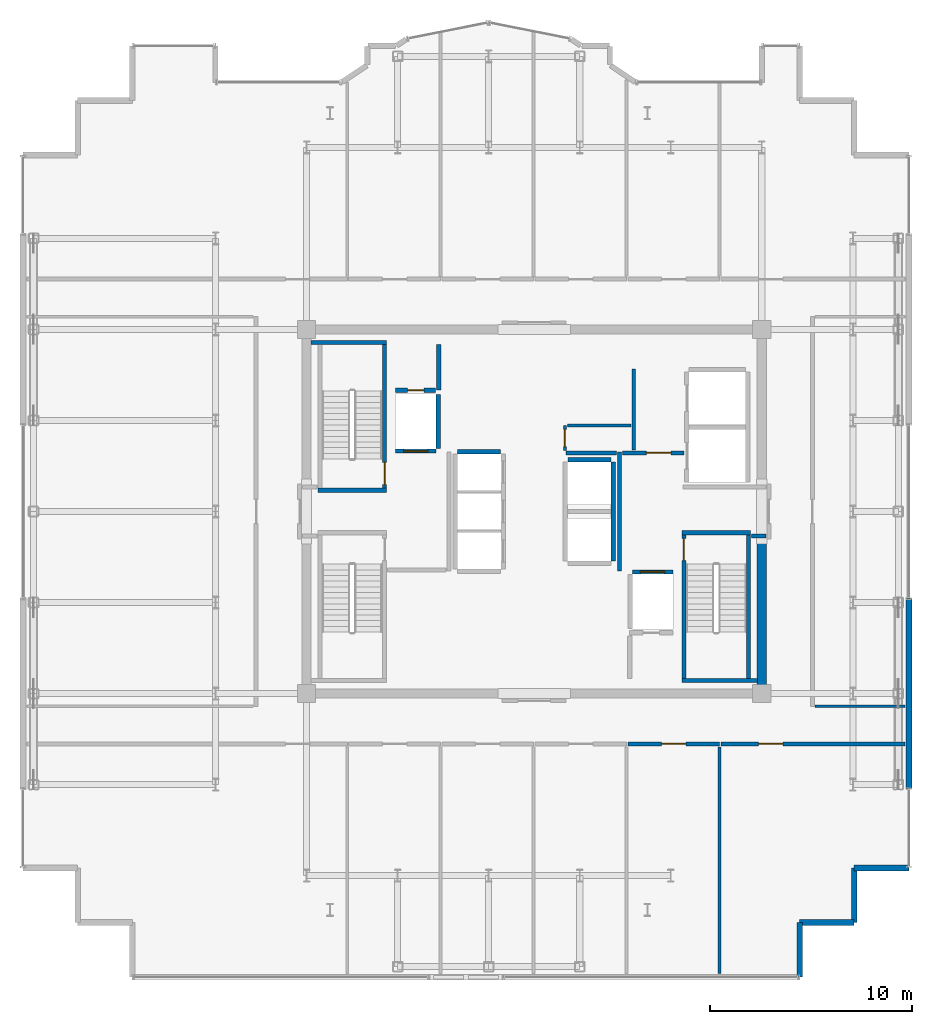
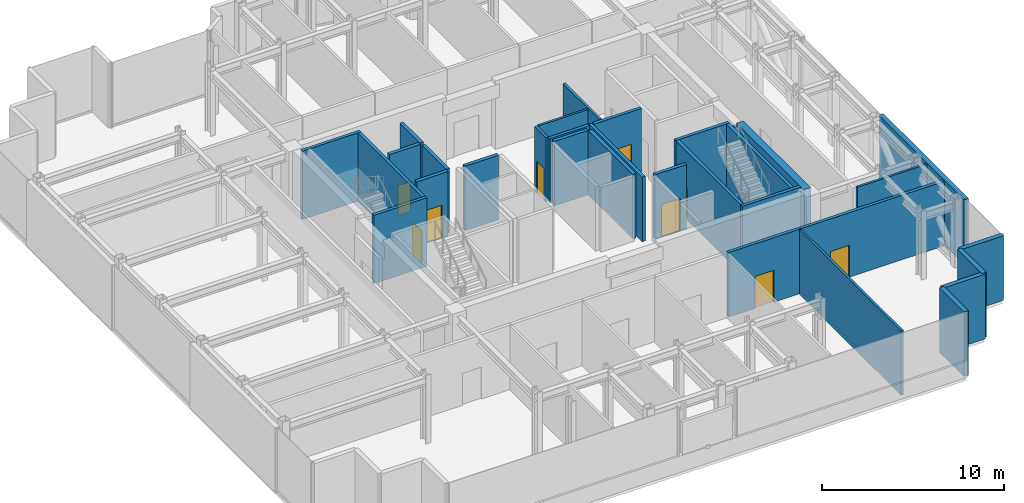
# One storey, part 14 of 18: 32 walls, 9 doors, 9 openings.
"""IFC4 building model written with IfcOpenShell, lengths in metres."""

import ifcopenshell
import ifcopenshell.guid

model = None  # the IFC model being written
_history = None  # IfcOwnerHistory: only IFC2X3 demands one
_inside = {}  # id of a spatial element -> (the spatial element, [elements in it])
_under = {}  # id of a project, library or spatial element -> (it, [spatial elements below it])
_declared = {}  # id of a project -> (the project, [libraries it declares])
_typed = {}  # id of a type object -> (the type object, [elements of that type])
_made_of = {}  # id of a material, layer set ... -> (it, [elements and type objects made of it])


def new_model(schema):
    """Start an empty IFC model of exactly this schema.

    Asked for "IFC4X3", IfcOpenShell would pick the latest addendum, in which some entities
    have other attributes; the version numbers below select the first issue.
    IFC2X3 requires an IfcOwnerHistory on every rooted entity: one is made here for all.
    """
    global model, _history
    if schema == "IFC4X3":
        model = ifcopenshell.file(schema_version=(4, 3, 0, 0))
    else:
        model = ifcopenshell.file(schema=schema)
    _inside.clear()
    _under.clear()
    _declared.clear()
    _typed.clear()
    _made_of.clear()
    _history = None
    if model.schema == "IFC2X3":
        org = make("IfcOrganization", Name="unknown")
        user = make(
            "IfcPersonAndOrganization",
            ThePerson=make("IfcPerson", FamilyName="unknown"),
            TheOrganization=org,
        )
        app = make(
            "IfcApplication",
            ApplicationDeveloper=org,
            Version="unknown",
            ApplicationFullName="unknown",
            ApplicationIdentifier="unknown",
        )
        _history = make(
            "IfcOwnerHistory",
            OwningUser=user,
            OwningApplication=app,
            ChangeAction="ADDED",
            CreationDate=0,
        )
    return model


def make(cls, **values):
    """One entity of the class cls with the attributes given. An attribute that is None is left unset."""
    return model.create_entity(
        cls, **{name: value for name, value in values.items() if value is not None}
    )


def rooted(cls, **values):
    """An entity with a GlobalId (a new one), such as an element, a storey or a relation."""
    return make(cls, GlobalId=ifcopenshell.guid.new(), OwnerHistory=_history, **values)


def si_unit(unit_type, name, prefix=None):
    """IfcSIUnit, for example si_unit("LENGTHUNIT", "METRE", prefix="MILLI")."""
    return make("IfcSIUnit", UnitType=unit_type, Prefix=prefix, Name=name)


def assignment(units):
    """IfcUnitAssignment: the units of a project."""
    return None if units is None else make("IfcUnitAssignment", Units=units)


def point(xyz):
    """IfcCartesianPoint."""
    return None if xyz is None else make("IfcCartesianPoint", Coordinates=xyz)


def direction(xyz):
    """IfcDirection."""
    return None if xyz is None else make("IfcDirection", DirectionRatios=xyz)


def frame(location, z_axis=None, x_axis=None):
    """IfcAxis2Placement3D, a coordinate frame: its origin and axes. An axis left out is left unset."""
    return make(
        "IfcAxis2Placement3D",
        Location=point(location),
        Axis=direction(z_axis),
        RefDirection=direction(x_axis),
    )


def frame_2d(location, x_axis=None):
    """IfcAxis2Placement2D, a coordinate frame in the plane: its origin and x axis."""
    return make(
        "IfcAxis2Placement2D", Location=point(location), RefDirection=direction(x_axis)
    )


def origin():
    """The frame at (0, 0, 0) with its axes left unset."""
    return frame((0.0, 0.0, 0.0))


def place(relative_to, where):
    """IfcLocalPlacement: puts the frame where relative to a parent placement (None: the world)."""
    return make(
        "IfcLocalPlacement", PlacementRelTo=relative_to, RelativePlacement=where
    )


def context(
    kind, dimensions, precision=None, world=None, true_north=None, identifier=None
):
    """IfcGeometricRepresentationContext, for example the 3D "Model" context."""
    return make(
        "IfcGeometricRepresentationContext",
        ContextIdentifier=identifier,
        ContextType=kind,
        CoordinateSpaceDimension=dimensions,
        Precision=precision,
        WorldCoordinateSystem=world,
        TrueNorth=true_north,
    )


def subcontext(parent, identifier, kind, view, scale=None):
    """IfcGeometricRepresentationSubContext, for example "Body" below "Model"."""
    return make(
        "IfcGeometricRepresentationSubContext",
        ContextIdentifier=identifier,
        ContextType=kind,
        ParentContext=parent,
        TargetScale=scale,
        TargetView=view,
    )


def project(units=None, contexts=None):
    """IfcProject with its units and contexts."""
    return rooted(
        "IfcProject",
        Name="project",
        RepresentationContexts=contexts,
        UnitsInContext=assignment(units),
    )


def spatial(cls, under=None, at=None, **own):
    """A site, building, storey or space (cls), placed at a placement, below another one or the project."""
    s = rooted(cls, ObjectPlacement=at, **own)
    if under is not None:
        _under.setdefault(under.id(), (under, []))[1].append(s)
    return s


def profile(cls, at=None, kind="AREA", **sizes):
    """A parametric profile (cls). Its sizes go by their IFC names, for example OverallWidth=200.0."""
    return make(cls, ProfileType=kind, Position=at, **sizes)


def rectangle(**sizes):
    """IfcRectangleProfileDef."""
    return profile("IfcRectangleProfileDef", **sizes)


def extrude(swept, where, along, depth):
    """IfcExtrudedAreaSolid: the profile swept, set in the frame where, extruded along a direction by depth."""
    return make(
        "IfcExtrudedAreaSolid",
        SweptArea=swept,
        Position=where,
        ExtrudedDirection=direction(along),
        Depth=depth,
    )


def shape(context_of_items, identifier, shape_type, items):
    """IfcShapeRepresentation: the items that make up one representation, for example the "Body"."""
    return make(
        "IfcShapeRepresentation",
        ContextOfItems=context_of_items,
        RepresentationIdentifier=identifier,
        RepresentationType=shape_type,
        Items=items,
    )


def source(mapping_origin, context_of_items, identifier, shape_type, items):
    """IfcRepresentationMap: a shape defined once, which mapped items show again and again."""
    return make(
        "IfcRepresentationMap",
        MappingOrigin=mapping_origin,
        MappedRepresentation=shape(context_of_items, identifier, shape_type, items),
    )


def transform(
    local_origin,
    x_axis=None,
    y_axis=None,
    z_axis=None,
    scale=None,
    scale2=None,
    scale3=None,
    uniform=True,
):
    """IfcCartesianTransformationOperator3D, or its non-uniform kind. x_axis, y_axis, z_axis: its Axis1, 2, 3."""
    if uniform:
        return make(
            "IfcCartesianTransformationOperator3D",
            Axis1=direction(x_axis),
            Axis2=direction(y_axis),
            LocalOrigin=point(local_origin),
            Scale=scale,
            Axis3=direction(z_axis),
        )
    return make(
        "IfcCartesianTransformationOperator3DnonUniform",
        Axis1=direction(x_axis),
        Axis2=direction(y_axis),
        LocalOrigin=point(local_origin),
        Scale=scale,
        Axis3=direction(z_axis),
        Scale2=scale2,
        Scale3=scale3,
    )


def mapped(mapping_source, mapping_target):
    """IfcMappedItem: shows the shape of a source again, moved by a transform."""
    return make(
        "IfcMappedItem", MappingSource=mapping_source, MappingTarget=mapping_target
    )


def material(Name=None, Category=None):
    """IfcMaterial."""
    return make("IfcMaterial", Name=Name, Category=Category)


def layer(
    of_material, thickness, ventilated=None, Name=None, Category=None, Priority=None
):
    """IfcMaterialLayer: one layer of a wall or slab, of a material (None: an air gap)."""
    return make(
        "IfcMaterialLayer",
        Material=of_material,
        LayerThickness=thickness,
        IsVentilated=ventilated,
        Name=Name,
        Category=Category,
        Priority=Priority,
    )


def layer_set(layers, Name=None):
    """IfcMaterialLayerSet."""
    return make("IfcMaterialLayerSet", MaterialLayers=layers, LayerSetName=Name)


def made_of(thing, what):
    """Note that an element or type object is made of a material, layer set ...; save() writes the relation."""
    if what is not None:
        _made_of.setdefault(what.id(), (what, []))[1].append(thing)
    return thing


def type_object(cls, material=None, **own):
    """A type object (cls), such as IfcWallType, which elements share."""
    return made_of(rooted(cls, **own), material)


def element(
    cls,
    number,
    at=None,
    inside=None,
    cuts=None,
    type_object=None,
    material=None,
    context=None,
    identifier="Body",
    shape_type=None,
    held_by="IfcProductDefinitionShape",
    body=None,
    shapes=None,
    **own,
):
    """One element of the class cls, such as IfcWall. Its Tag is "e" and its number.

    at: its placement. inside: the storey or other place that contains it. cuts: it is an
    opening in that element (IfcRelVoidsElement). A single representation is given by context,
    identifier, shape_type and body (its items); several are given by shapes. held_by: the class
    of the entity that holds the representations. save() writes the other relations.
    """
    e = rooted(cls, Tag="e%d" % number, ObjectPlacement=at, **own)
    if body is not None:
        shapes = [shape(context, identifier, shape_type, body)]
    if shapes is not None:
        e.Representation = make(held_by, Representations=shapes)
    if inside is not None:
        _inside.setdefault(inside.id(), (inside, []))[1].append(e)
    if cuts is not None:
        rooted(
            "IfcRelVoidsElement", RelatingBuildingElement=cuts, RelatedOpeningElement=e
        )
    if type_object is not None:
        _typed.setdefault(type_object.id(), (type_object, []))[1].append(e)
    return made_of(e, material)


def fill(opening, filler):
    """IfcRelFillsElement: the door or window that sits in an opening."""
    return rooted(
        "IfcRelFillsElement",
        RelatingOpeningElement=opening,
        RelatedBuildingElement=filler,
    )


def aggregate(whole, parts):
    """IfcRelAggregates: a whole, such as a stair, and the parts it consists of."""
    return rooted("IfcRelAggregates", RelatingObject=whole, RelatedObjects=parts)


def save(model, path):
    """Write the relations noted so far, then the file.

    IfcRelAggregates (storeys below a building ...), IfcRelContainedInSpatialStructure (elements
    in a storey), IfcRelDefinesByType, IfcRelAssociatesMaterial and IfcRelDeclares: one each for
    every whole, place, type object, material and project.
    """
    for whole, parts in _under.values():
        aggregate(whole, parts)
    for where, things in _inside.values():
        rooted(
            "IfcRelContainedInSpatialStructure",
            RelatedElements=things,
            RelatingStructure=where,
        )
    for kind, things in _typed.values():
        rooted("IfcRelDefinesByType", RelatedObjects=things, RelatingType=kind)
    for what, things in _made_of.values():
        rooted("IfcRelAssociatesMaterial", RelatedObjects=things, RelatingMaterial=what)
    for by, libraries in _declared.values():
        rooted("IfcRelDeclares", RelatingContext=by, RelatedDefinitions=libraries)
    model.write(path)


model = new_model("IFC4")

# Units and contexts
model_context = context("Model", 3, precision=1e-05, world=origin(), true_north=direction((0.0, 1.0)))
body_context = subcontext(model_context, "Body", "Model", "MODEL_VIEW")
ifc_project = project(units=[si_unit("LENGTHUNIT", "METRE"), si_unit("AREAUNIT", "SQUARE_METRE"), si_unit("VOLUMEUNIT", "CUBIC_METRE"), si_unit("PLANEANGLEUNIT", "RADIAN"), si_unit("MASSUNIT", "GRAM", prefix="KILO")], contexts=[model_context])

# Site, building, storey
site_placement = place(None, origin())
site = spatial("IfcSite", under=ifc_project, at=site_placement, CompositionType="ELEMENT")
building_placement = place(site_placement, origin())
building = spatial("IfcBuilding", under=site, at=building_placement, Name="Nefas-Gora Pilgrimage Tower", CompositionType="ELEMENT")
storey_placement = place(building_placement, frame((0.0, 0.0, 317.800048828125)))
storey = spatial("IfcBuildingStorey", under=building, at=storey_placement, Name="L80", CompositionType="ELEMENT", Elevation=317.800048828125)

# Walls
ifc_material_1 = material(Name="Concrete C50/60", Category="concrete")
ifc_layer_1 = layer(ifc_material_1, 0.449951171875)
ifc_layer_set_1 = layer_set([ifc_layer_1], Name="Concrete C50/60")
wall_type_1 = type_object("IfcWallType", Name="SW-CORE-450", PredefinedType="SHEAR", material=ifc_layer_set_1)
shared_shape_1 = source(origin(), body_context, "Body", "SweptSolid", [
    extrude(rectangle(XDim=7.4248046875, YDim=0.449951171875, at=frame_2d((3.71240234375, 0.0))), origin(), (0.0, 0.0, 1.0), 4.599853515625),
])
wall_1_placement = place(storey_placement, frame((11.25, -8.77490234375, 0.0), z_axis=(0.0, 0.0, 1.0), x_axis=(0.0, 1.0, 0.0)))
element("IfcWall", 1, at=wall_1_placement, inside=storey, type_object=wall_type_1, Name="L80 Core Shear Wall E-South", PredefinedType="SHEAR", context=body_context, shape_type="MappedRepresentation", body=[
    mapped(shared_shape_1, transform((0.0, 0.0, 0.0), x_axis=(1.0, 0.0, 0.0), y_axis=(0.0, 1.0, 0.0), z_axis=(0.0, 0.0, 1.0), scale=1.0)),
])
ifc_material_2 = material(Name="Precast concrete C45/55", Category="concrete")
ifc_layer_2 = layer(ifc_material_2, 0.239990234375)
ifc_layer_set_2 = layer_set([ifc_layer_2], Name="Precast concrete C45/55")
wall_type_2 = type_object("IfcWallType", Name="EW-SERR-240", PredefinedType="SHEAR", material=ifc_layer_set_2)
shared_shape_2 = source(origin(), body_context, "Body", "SweptSolid", [
    extrude(rectangle(XDim=9.3798828125, YDim=0.300048828125, at=frame_2d((4.68994140625, 0.0))), origin(), (0.0, 0.0, 1.0), 4.349853515625),
])
wall_2_placement = place(storey_placement, frame((18.52001953125, -13.68994140625, 0.0), z_axis=(0.0, 0.0, 1.0), x_axis=(0.0, 1.0, 0.0)))
element("IfcWall", 2, at=wall_2_placement, inside=storey, type_object=wall_type_2, Name="L80 Belt-Truss Precast Shear Cladding 3", PredefinedType="SHEAR", context=body_context, shape_type="MappedRepresentation", body=[
    mapped(shared_shape_2, transform((0.0, 0.0, 0.0), x_axis=(1.0, 0.0, 0.0), y_axis=(0.0, 1.0, 0.0), z_axis=(0.0, 0.0, 1.0), scale=1.0)),
])
ifc_layer_3 = layer(ifc_material_2, 0.280029296875)
ifc_layer_set_3 = layer_set([ifc_layer_3], Name="Precast concrete C45/55")
wall_type_3 = type_object("IfcWallType", Name="EW-PLANT-280", PredefinedType="SOLIDWALL", material=ifc_layer_set_3)
shared_shape_3 = source(origin(), body_context, "Body", "SweptSolid", [
    extrude(rectangle(XDim=2.699951171875, YDim=0.280029296875, at=frame_2d((1.35009765625, 0.0))), origin(), (0.0, 0.0, 1.0), 4.349853515625),
])
for number, where, z_axis, x_axis, name in (
    (3, (15.820068359375, -17.6201171875, 0.0), (0.0, 0.0, 1.0), (1.0, 0.0, 0.0), "L80 Serrated Corner Shear Pier Wall 5"),
    (4, (13.1201171875, -23.02001953125, 0.0), (0.0, 0.0, 1.0), (0.0, 1.0, 0.0), "L80 Serrated Corner Shear Pier Wall 29"),
    (5, (13.1201171875, -20.320068359375, 0.0), (0.0, 0.0, 1.0), (1.0, 0.0, 0.0), "L80 Serrated Corner Shear Pier Wall 30"),
    (6, (15.820068359375, -20.320068359375, 0.0), (0.0, 0.0, 1.0), (0.0, 1.0, 0.0), "L80 Serrated Corner Shear Pier Wall 31"),
):
    element("IfcWall", number, at=place(storey_placement, frame(where, z_axis=z_axis, x_axis=x_axis)), inside=storey, type_object=wall_type_3, Name=name, PredefinedType="SOLIDWALL", context=body_context, shape_type="MappedRepresentation", body=[
        mapped(shared_shape_3, transform((0.0, 0.0, 0.0), x_axis=(1.0, 0.0, 0.0), y_axis=(0.0, 1.0, 0.0), z_axis=(0.0, 0.0, 1.0), scale=1.0)),
    ])
ifc_material_3 = material(Name="Concrete C45/55", Category="concrete")
ifc_layer_4 = layer(ifc_material_3, 0.199951171875)
ifc_layer_set_4 = layer_set([ifc_layer_4], Name="Concrete C45/55")
wall_type_4 = type_object("IfcWallType", Name="IW-STAIR-200", PredefinedType="SOLIDWALL", material=ifc_layer_set_4)
shared_shape_4 = source(origin(), body_context, "Body", "SweptSolid", [
    extrude(rectangle(XDim=3.39990234375, YDim=0.199951171875, at=frame_2d((1.699951171875, 0.0))), origin(), (0.0, 0.0, 1.0), 4.599853515625),
])
for number, where, z_axis, x_axis, name in (
    (7, (-7.300048828125, 1.050048828125, 0.0), (0.0, 0.0, 1.0), (-1.0, 0.0, 0.0), "L80 Stairwell Shear Wall ST-01-near"),
    (8, (7.300048828125, -1.050048828125, 0.0), (0.0, 0.0, 1.0), (1.0, 0.0, 0.0), "L80 Stairwell Shear Wall ST-02-near"),
):
    element("IfcWall", number, at=place(storey_placement, frame(where, z_axis=z_axis, x_axis=x_axis)), inside=storey, type_object=wall_type_4, Name=name, PredefinedType="SOLIDWALL", context=body_context, shape_type="MappedRepresentation", body=[
        mapped(shared_shape_4, transform((0.0, 0.0, 0.0), x_axis=(1.0, 0.0, 0.0), y_axis=(0.0, 1.0, 0.0), z_axis=(0.0, 0.0, 1.0), scale=1.0)),
    ])
shared_shape_5 = source(origin(), body_context, "Body", "SweptSolid", [
    extrude(rectangle(XDim=3.72998046875, YDim=0.199951171875, at=frame_2d((1.864990234375, 0.0))), origin(), (0.0, 0.0, 1.0), 4.599853515625),
])
for number, where, z_axis, x_axis, name in (
    (9, (-7.300048828125, 8.35009765625, 0.0), (0.0, 0.0, 1.0), (-1.0, 0.0, 0.0), "L80 Stairwell Shear Wall ST-01-far"),
    (10, (7.300048828125, -8.35009765625, 0.0), (0.0, 0.0, 1.0), (1.0, 0.0, 0.0), "L80 Stairwell Shear Wall ST-02-far"),
):
    element("IfcWall", number, at=place(storey_placement, frame(where, z_axis=z_axis, x_axis=x_axis)), inside=storey, type_object=wall_type_4, Name=name, PredefinedType="SOLIDWALL", context=body_context, shape_type="MappedRepresentation", body=[
        mapped(shared_shape_5, transform((0.0, 0.0, 0.0), x_axis=(1.0, 0.0, 0.0), y_axis=(0.0, 1.0, 0.0), z_axis=(0.0, 0.0, 1.0), scale=1.0)),
    ])

# Wall, opening, door
shared_shape_6 = source(origin(), body_context, "Body", "SweptSolid", [
    extrude(rectangle(XDim=7.10009765625, YDim=0.199951171875, at=frame_2d((3.550048828125, 0.0))), origin(), (0.0, 0.0, 1.0), 4.599853515625),
])
wall_3_placement = place(storey_placement, frame((-7.39990234375, 1.14990234375, 0.0), z_axis=(0.0, 0.0, 1.0), x_axis=(0.0, 1.0, 0.0)))
wall_3 = element("IfcWall", 11, at=wall_3_placement, inside=storey, type_object=wall_type_4, Name="L80 Stairwell Shear Wall ST-01-left", PredefinedType="SOLIDWALL", context=body_context, shape_type="MappedRepresentation", body=[
    mapped(shared_shape_6, transform((0.0, 0.0, 0.0), x_axis=(1.0, 0.0, 0.0), y_axis=(0.0, 1.0, 0.0), z_axis=(0.0, 0.0, 1.0), scale=1.0)),
])
opening_1_placement = place(wall_3_placement, frame((0.179931640625, 0.0, 0.0)))
opening_1 = element("IfcOpeningElement", 12, at=opening_1_placement, cuts=wall_3, Name="Opening ID-ST1", PredefinedType="OPENING", context=body_context, shape_type="SweptSolid", body=[
    extrude(rectangle(XDim=1.10009765625, YDim=2.14990234375, at=frame_2d((0.550048828125, 1.074951171875))), frame((0.0, 0.10986328125, 0.0), z_axis=(0.0, -1.0, 0.0), x_axis=(1.0, 0.0, 0.0)), (0.0, 0.0, 1.0), 0.219970703125),
])
ifc_material_4 = material(Name="Painted galvanised steel fire stair door", Category="steel")
door_type_1 = type_object("IfcDoorType", Name="DR-INT-STAIR-1100", OperationType="NOTDEFINED", PredefinedType="DOOR", material=ifc_material_4)
shared_shape_7 = source(origin(), body_context, "Body", "SweptSolid", [
    extrude(rectangle(XDim=1.10009765625, YDim=2.14990234375, at=frame_2d((0.550048828125, 1.074951171875))), frame((0.0, 0.02490234375, 0.0), z_axis=(0.0, -1.0, 0.0), x_axis=(1.0, 0.0, 0.0)), (0.0, 0.0, 1.0), 0.050048828125),
])
door_1_placement = place(opening_1_placement, origin())
door_1 = element("IfcDoor", 13, at=door_1_placement, inside=storey, type_object=door_type_1, Name="L80 Protected Exit Stair Door ST-01", OperationType="SINGLE_SWING_RIGHT", OverallHeight=2.14990234375, OverallWidth=1.10009765625, PredefinedType="DOOR", context=body_context, shape_type="MappedRepresentation", body=[
    mapped(shared_shape_7, transform((0.0, 0.0, 0.0), x_axis=(1.0, 0.0, 0.0), y_axis=(0.0, 1.0, 0.0), z_axis=(0.0, 0.0, 1.0), scale=1.0)),
])
fill(opening_1, door_1)

wall_4_placement = place(storey_placement, frame((7.39990234375, -1.14990234375, 0.0), z_axis=(0.0, 0.0, 1.0), x_axis=(0.0, -1.0, 0.0)))
wall_4 = element("IfcWall", 14, at=wall_4_placement, inside=storey, type_object=wall_type_4, Name="L80 Stairwell Shear Wall ST-02-left", PredefinedType="SOLIDWALL", context=body_context, shape_type="MappedRepresentation", body=[
    mapped(shared_shape_6, transform((0.0, 0.0, 0.0), x_axis=(1.0, 0.0, 0.0), y_axis=(0.0, 1.0, 0.0), z_axis=(0.0, 0.0, 1.0), scale=1.0)),
])
opening_2_placement = place(wall_4_placement, frame((0.179931640625, 0.0, 0.0)))
opening_2 = element("IfcOpeningElement", 15, at=opening_2_placement, cuts=wall_4, Name="Opening ID-ST1", PredefinedType="OPENING", context=body_context, shape_type="SweptSolid", body=[
    extrude(rectangle(XDim=1.10009765625, YDim=2.14990234375, at=frame_2d((0.550048828125, 1.074951171875))), frame((0.0, 0.10986328125, 0.0), z_axis=(0.0, -1.0, 0.0), x_axis=(1.0, 0.0, 0.0)), (0.0, 0.0, 1.0), 0.219970703125),
])
door_2_placement = place(opening_2_placement, origin())
door_2 = element("IfcDoor", 16, at=door_2_placement, inside=storey, type_object=door_type_1, Name="L80 Protected Exit Stair Door ST-02", OperationType="SINGLE_SWING_LEFT", OverallHeight=2.14990234375, OverallWidth=1.10009765625, PredefinedType="DOOR", context=body_context, shape_type="MappedRepresentation", body=[
    mapped(shared_shape_7, transform((0.0, 0.0, 0.0), x_axis=(1.0, 0.0, 0.0), y_axis=(0.0, 1.0, 0.0), z_axis=(0.0, 0.0, 1.0), scale=1.0)),
])
fill(opening_2, door_2)

# Wall
wall_5_placement = place(storey_placement, frame((10.60009765625, -1.14990234375, 0.0), z_axis=(0.0, 0.0, 1.0), x_axis=(0.0, -1.0, 0.0)))
element("IfcWall", 17, at=wall_5_placement, inside=storey, type_object=wall_type_4, Name="L80 Stairwell Shear Wall ST-02-right", PredefinedType="SOLIDWALL", context=body_context, shape_type="MappedRepresentation", body=[
    mapped(shared_shape_6, transform((0.0, 0.0, 0.0), x_axis=(1.0, 0.0, 0.0), y_axis=(0.0, 1.0, 0.0), z_axis=(0.0, 0.0, 1.0), scale=1.0)),
])

# Wall, opening, door
ifc_material_5 = material(Name="Concrete C40/50", Category="concrete")
ifc_layer_5 = layer(ifc_material_5, 0.219970703125)
ifc_layer_set_5 = layer_set([ifc_layer_5], Name="Concrete C40/50")
wall_type_5 = type_object("IfcWallType", Name="IW-SHAFT-220", PredefinedType="SOLIDWALL", material=ifc_layer_set_5)
shared_shape_8 = source(origin(), body_context, "Body", "SweptSolid", [
    extrude(rectangle(XDim=2.0, YDim=0.219970703125, at=frame_2d((1.0, 0.0))), origin(), (0.0, 0.0, 1.0), 4.3349609375),
])
wall_6_placement = place(storey_placement, frame((-6.85009765625, 2.989990234375, 0.0), z_axis=(0.0, 0.0, 1.0), x_axis=(1.0, 0.0, 0.0)))
wall_6 = element("IfcWall", 18, at=wall_6_placement, inside=storey, type_object=wall_type_5, Name="L80 Hoistway Wall FFL-01-S", PredefinedType="SOLIDWALL", context=body_context, shape_type="MappedRepresentation", body=[
    mapped(shared_shape_8, transform((0.0, 0.0, 0.0), x_axis=(1.0, 0.0, 0.0), y_axis=(0.0, 1.0, 0.0), z_axis=(0.0, 0.0, 1.0), scale=1.0)),
])
opening_3_placement = place(wall_6_placement, frame((0.39990234375, 0.0, 0.0)))
opening_3 = element("IfcOpeningElement", 19, at=opening_3_placement, cuts=wall_6, Name="Opening LD-FF", PredefinedType="OPENING", context=body_context, shape_type="SweptSolid", body=[
    extrude(rectangle(XDim=1.199951171875, YDim=2.199951171875, at=frame_2d((0.60009765625, 1.10009765625))), frame((0.0, 0.119873046875, 0.0), z_axis=(0.0, -1.0, 0.0), x_axis=(1.0, 0.0, 0.0)), (0.0, 0.0, 1.0), 0.239990234375),
])
ifc_material_6 = material(Name="Fire-service sliding lift landing door")
door_type_2 = type_object("IfcDoorType", Name="DR-LIFT-FSAE-1200", OperationType="SLIDING_TO_LEFT", PredefinedType="DOOR", material=ifc_material_6)
shared_shape_9 = source(origin(), body_context, "Body", "SweptSolid", [
    extrude(rectangle(XDim=1.199951171875, YDim=2.199951171875, at=frame_2d((0.60009765625, 1.10009765625))), frame((0.0, 0.02490234375, 0.0), z_axis=(0.0, -1.0, 0.0), x_axis=(1.0, 0.0, 0.0)), (0.0, 0.0, 1.0), 0.050048828125),
])
door_3_placement = place(opening_3_placement, origin())
door_3 = element("IfcDoor", 20, at=door_3_placement, inside=storey, type_object=door_type_2, Name="L80 Sliding Lift Landing Door FFL-01", OperationType="SLIDING_TO_LEFT", OverallHeight=2.199951171875, OverallWidth=1.199951171875, PredefinedType="DOOR", context=body_context, shape_type="MappedRepresentation", body=[
    mapped(shared_shape_9, transform((0.0, 0.0, 0.0), x_axis=(1.0, 0.0, 0.0), y_axis=(0.0, 1.0, 0.0), z_axis=(0.0, 0.0, 1.0), scale=1.0)),
])
fill(opening_3, door_3)

wall_7_placement = place(storey_placement, frame((6.85009765625, -2.989990234375, 0.0), z_axis=(0.0, 0.0, 1.0), x_axis=(-1.0, 0.0, 0.0)))
wall_7 = element("IfcWall", 21, at=wall_7_placement, inside=storey, type_object=wall_type_5, Name="L80 Hoistway Wall FFL-02-N", PredefinedType="SOLIDWALL", context=body_context, shape_type="MappedRepresentation", body=[
    mapped(shared_shape_8, transform((0.0, 0.0, 0.0), x_axis=(1.0, 0.0, 0.0), y_axis=(0.0, 1.0, 0.0), z_axis=(0.0, 0.0, 1.0), scale=1.0)),
])
opening_4_placement = place(wall_7_placement, frame((0.39990234375, 0.0, 0.0)))
opening_4 = element("IfcOpeningElement", 22, at=opening_4_placement, cuts=wall_7, Name="Opening LD-FF", PredefinedType="OPENING", context=body_context, shape_type="SweptSolid", body=[
    extrude(rectangle(XDim=1.199951171875, YDim=2.199951171875, at=frame_2d((0.60009765625, 1.10009765625))), frame((0.0, 0.119873046875, 0.0), z_axis=(0.0, -1.0, 0.0), x_axis=(1.0, 0.0, 0.0)), (0.0, 0.0, 1.0), 0.239990234375),
])
door_4_placement = place(opening_4_placement, origin())
door_4 = element("IfcDoor", 23, at=door_4_placement, inside=storey, type_object=door_type_2, Name="L80 Sliding Lift Landing Door FFL-02", OperationType="SLIDING_TO_LEFT", OverallHeight=2.199951171875, OverallWidth=1.199951171875, PredefinedType="DOOR", context=body_context, shape_type="MappedRepresentation", body=[
    mapped(shared_shape_9, transform((0.0, 0.0, 0.0), x_axis=(1.0, 0.0, 0.0), y_axis=(0.0, 1.0, 0.0), z_axis=(0.0, 0.0, 1.0), scale=1.0)),
])
fill(opening_4, door_4)

# Walls
shared_shape_10 = source(origin(), body_context, "Body", "SweptSolid", [
    extrude(rectangle(XDim=2.679931640625, YDim=0.219970703125, at=frame_2d((1.33984375, 0.0))), origin(), (0.0, 0.0, 1.0), 4.3349609375),
])
wall_8_placement = place(storey_placement, frame((-4.739990234375, 3.110107421875, 0.0), z_axis=(0.0, 0.0, 1.0), x_axis=(0.0, 1.0, 0.0)))
element("IfcWall", 24, at=wall_8_placement, inside=storey, type_object=wall_type_5, Name="L80 Hoistway Wall FFL-01-E", PredefinedType="SOLIDWALL", context=body_context, shape_type="MappedRepresentation", body=[
    mapped(shared_shape_10, transform((0.0, 0.0, 0.0), x_axis=(1.0, 0.0, 0.0), y_axis=(0.0, 1.0, 0.0), z_axis=(0.0, 0.0, 1.0), scale=1.0)),
])
shared_shape_11 = source(origin(), body_context, "Body", "SweptSolid", [
    extrude(rectangle(XDim=2.130126953125, YDim=0.219970703125, at=frame_2d((1.06494140625, 0.0))), origin(), (0.0, 0.0, 1.0), 4.3349609375),
])
for number, where, z_axis, x_axis, name in (
    (25, (-1.659912109375, 2.9599609375, 0.0), (0.0, 0.0, 1.0), (-1.0, 0.0, 0.0), "L80 Hoistway Wall PL3-03-N"),
    (26, (3.7900390625, 2.56005859375, 0.0), (0.0, 0.0, 1.0), (-1.0, 0.0, 0.0), "L80 Hoistway Wall OBS-02-N"),
):
    element("IfcWall", number, at=place(storey_placement, frame(where, z_axis=z_axis, x_axis=x_axis)), inside=storey, type_object=wall_type_5, Name=name, PredefinedType="SOLIDWALL", context=body_context, shape_type="MappedRepresentation", body=[
        mapped(shared_shape_11, transform((0.0, 0.0, 0.0), x_axis=(1.0, 0.0, 0.0), y_axis=(0.0, 1.0, 0.0), z_axis=(0.0, 0.0, 1.0), scale=1.0)),
    ])
shared_shape_12 = source(origin(), body_context, "Body", "SweptSolid", [
    extrude(rectangle(XDim=4.89990234375, YDim=0.219970703125, at=frame_2d((2.449951171875, 0.0))), origin(), (0.0, 0.0, 1.0), 4.3349609375),
])
wall_9_placement = place(storey_placement, frame((3.909912109375, -2.449951171875, 0.0), z_axis=(0.0, 0.0, 1.0), x_axis=(0.0, 1.0, 0.0)))
element("IfcWall", 27, at=wall_9_placement, inside=storey, type_object=wall_type_5, Name="L80 Hoistway Wall OBS-01-02-E", PredefinedType="SOLIDWALL", context=body_context, shape_type="MappedRepresentation", body=[
    mapped(shared_shape_12, transform((0.0, 0.0, 0.0), x_axis=(1.0, 0.0, 0.0), y_axis=(0.0, 1.0, 0.0), z_axis=(0.0, 0.0, 1.0), scale=1.0)),
])
ifc_material_7 = material(Name="Gypsum fire-rated shaftwall")
ifc_layer_6 = layer(ifc_material_7, 0.199951171875)
ifc_layer_set_6 = layer_set([ifc_layer_6], Name="Gypsum fire-rated shaftwall")
wall_type_6 = type_object("IfcWallType", Name="IW-FFLOB-200", PredefinedType="PARTITIONING", material=ifc_layer_set_6)
shared_shape_13 = source(origin(), body_context, "Body", "SweptSolid", [
    extrude(rectangle(XDim=5.89990234375, YDim=0.199951171875, at=frame_2d((2.949951171875, 0.0))), origin(), (0.0, 0.0, 1.0), 4.3349609375),
])
wall_10_placement = place(storey_placement, frame((4.219970703125, -2.949951171875, 0.0), z_axis=(0.0, 0.0, 1.0), x_axis=(0.0, 1.0, 0.0)))
element("IfcWall", 28, at=wall_10_placement, inside=storey, type_object=wall_type_6, Name="L80 FF Lobby East Inner Wall Wall 11", PredefinedType="PARTITIONING", context=body_context, shape_type="MappedRepresentation", body=[
    mapped(shared_shape_13, transform((0.0, 0.0, 0.0), x_axis=(1.0, 0.0, 0.0), y_axis=(0.0, 1.0, 0.0), z_axis=(0.0, 0.0, 1.0), scale=1.0)),
])
shared_shape_14 = source(origin(), body_context, "Body", "SweptSolid", [
    extrude(rectangle(XDim=0.719970703125, YDim=0.199951171875, at=frame_2d((0.35986328125, 0.0))), origin(), (0.0, 0.0, 1.0), 4.3349609375),
])
wall_11_placement = place(storey_placement, frame((10.739990234375, -1.219970703125, 0.0), z_axis=(0.0, 0.0, 1.0), x_axis=(1.0, 0.0, 0.0)))
element("IfcWall", 29, at=wall_11_placement, inside=storey, type_object=wall_type_6, Name="L80 FF Lobby East Throat S Wall 15", PredefinedType="PARTITIONING", context=body_context, shape_type="MappedRepresentation", body=[
    mapped(shared_shape_14, transform((0.0, 0.0, 0.0), x_axis=(1.0, 0.0, 0.0), y_axis=(0.0, 1.0, 0.0), z_axis=(0.0, 0.0, 1.0), scale=1.0)),
])
shared_shape_15 = source(origin(), body_context, "Body", "SweptSolid", [
    extrude(rectangle(XDim=2.52001953125, YDim=0.199951171875, at=frame_2d((1.260009765625, 0.0))), origin(), (0.0, 0.0, 1.0), 4.3349609375),
])
wall_12_placement = place(storey_placement, frame((1.56005859375, 2.89990234375, 0.0), z_axis=(0.0, 0.0, 1.0), x_axis=(1.0, 0.0, 0.0)))
element("IfcWall", 30, at=wall_12_placement, inside=storey, type_object=wall_type_6, Name="L80 FF Lobby East North Wall Wall 12", PredefinedType="PARTITIONING", context=body_context, shape_type="MappedRepresentation", body=[
    mapped(shared_shape_15, transform((0.0, 0.0, 0.0), x_axis=(1.0, 0.0, 0.0), y_axis=(0.0, 1.0, 0.0), z_axis=(0.0, 0.0, 1.0), scale=1.0)),
])

# Wall, opening, door
shared_shape_16 = source(origin(), body_context, "Body", "SweptSolid", [
    extrude(rectangle(XDim=3.039794921875, YDim=0.199951171875, at=frame_2d((1.52001953125, 0.0))), origin(), (0.0, 0.0, 1.0), 4.3349609375),
])
wall_13_placement = place(storey_placement, frame((4.360107421875, 2.89990234375, 0.0), z_axis=(0.0, 0.0, 1.0), x_axis=(1.0, 0.0, 0.0)))
wall_13 = element("IfcWall", 31, at=wall_13_placement, inside=storey, type_object=wall_type_6, Name="L80 FF Lobby East North Wall Wall 13", PredefinedType="PARTITIONING", context=body_context, shape_type="MappedRepresentation", body=[
    mapped(shared_shape_16, transform((0.0, 0.0, 0.0), x_axis=(1.0, 0.0, 0.0), y_axis=(0.0, 1.0, 0.0), z_axis=(0.0, 0.0, 1.0), scale=1.0)),
])
opening_5_placement = place(wall_13_placement, frame((1.18994140625, 0.0, 0.0)))
opening_5 = element("IfcOpeningElement", 32, at=opening_5_placement, cuts=wall_13, Name="Opening ID-PL1", PredefinedType="OPENING", context=body_context, shape_type="SweptSolid", body=[
    extrude(rectangle(XDim=1.199951171875, YDim=2.14990234375, at=frame_2d((0.60009765625, 1.074951171875))), frame((0.0, 0.10986328125, 0.0), z_axis=(0.0, -1.0, 0.0), x_axis=(1.0, 0.0, 0.0)), (0.0, 0.0, 1.0), 0.219970703125),
])
ifc_material_8 = material(Name="Heavy-duty steel plant room fire door", Category="steel")
door_type_3 = type_object("IfcDoorType", Name="DR-INT-PLANT-1200", OperationType="NOTDEFINED", PredefinedType="DOOR", material=ifc_material_8)
shared_shape_17 = source(origin(), body_context, "Body", "SweptSolid", [
    extrude(rectangle(XDim=1.199951171875, YDim=2.14990234375, at=frame_2d((0.60009765625, 1.074951171875))), frame((0.0, 0.02490234375, 0.0), z_axis=(0.0, -1.0, 0.0), x_axis=(1.0, 0.0, 0.0)), (0.0, 0.0, 1.0), 0.050048828125),
])
door_5_placement = place(opening_5_placement, origin())
door_5 = element("IfcDoor", 33, at=door_5_placement, inside=storey, type_object=door_type_3, Name="L80 Service Lift Lobby Door Door 5", OperationType="SINGLE_SWING_RIGHT", OverallHeight=2.14990234375, OverallWidth=1.199951171875, PredefinedType="DOOR", context=body_context, shape_type="MappedRepresentation", body=[
    mapped(shared_shape_17, transform((0.0, 0.0, 0.0), x_axis=(1.0, 0.0, 0.0), y_axis=(0.0, 1.0, 0.0), z_axis=(0.0, 0.0, 1.0), scale=1.0)),
])
fill(opening_5, door_5)

ifc_material_9 = material(Name="Gypsum acoustic stud partition")
ifc_layer_7 = layer(ifc_material_9, 0.159912109375)
ifc_layer_set_7 = layer_set([ifc_layer_7], Name="Gypsum acoustic stud partition")
wall_type_7 = type_object("IfcWallType", Name="IW-CORR-160", PredefinedType="PARTITIONING", material=ifc_layer_set_7)
shared_shape_18 = source(origin(), body_context, "Body", "SweptSolid", [
    extrude(rectangle(XDim=1.25, YDim=0.159912109375, at=frame_2d((0.625, 0.0))), origin(), (0.0, 0.0, 1.0), 4.3349609375),
])
wall_14_placement = place(storey_placement, frame((1.52001953125, 3.010009765625, 0.0), z_axis=(0.0, 0.0, 1.0), x_axis=(0.0, 1.0, 0.0)))
wall_14 = element("IfcWall", 34, at=wall_14_placement, inside=storey, type_object=wall_type_7, Name="L80 Core Communications Room Wall 19", PredefinedType="PARTITIONING", context=body_context, shape_type="MappedRepresentation", body=[
    mapped(shared_shape_18, transform((0.0, 0.0, 0.0), x_axis=(1.0, 0.0, 0.0), y_axis=(0.0, 1.0, 0.0), z_axis=(0.0, 0.0, 1.0), scale=1.0)),
])
opening_6_placement = place(wall_14_placement, frame((0.199951171875, 0.0, 0.0)))
opening_6 = element("IfcOpeningElement", 35, at=opening_6_placement, cuts=wall_14, Name="Opening ID-BT1", PredefinedType="OPENING", context=body_context, shape_type="SweptSolid", body=[
    extrude(rectangle(XDim=0.85009765625, YDim=2.10009765625, at=frame_2d((0.425048828125, 1.050048828125))), frame((0.0, 0.08984375, 0.0), z_axis=(0.0, -1.0, 0.0), x_axis=(1.0, 0.0, 0.0)), (0.0, 0.0, 1.0), 0.179931640625),
])
ifc_material_10 = material(Name="Moisture-resistant fire-rated timber door", Category="wood")
door_type_4 = type_object("IfcDoorType", Name="DR-INT-BATH-850", OperationType="NOTDEFINED", PredefinedType="DOOR", material=ifc_material_10)
shared_shape_19 = source(origin(), body_context, "Body", "SweptSolid", [
    extrude(rectangle(XDim=0.85009765625, YDim=2.10009765625, at=frame_2d((0.425048828125, 1.050048828125))), frame((0.0, 0.02490234375, 0.0), z_axis=(0.0, -1.0, 0.0), x_axis=(1.0, 0.0, 0.0)), (0.0, 0.0, 1.0), 0.050048828125),
])
door_6_placement = place(opening_6_placement, origin())
door_6 = element("IfcDoor", 36, at=door_6_placement, inside=storey, type_object=door_type_4, Name="L80 Core Communications Room Door 8", OperationType="SINGLE_SWING_LEFT", OverallHeight=2.10009765625, OverallWidth=0.85009765625, PredefinedType="DOOR", context=body_context, shape_type="MappedRepresentation", body=[
    mapped(shared_shape_19, transform((0.0, 0.0, 0.0), x_axis=(1.0, 0.0, 0.0), y_axis=(0.0, 1.0, 0.0), z_axis=(0.0, 0.0, 1.0), scale=1.0)),
])
fill(opening_6, door_6)

# Wall
ifc_material_11 = material(Name="Gypsum twin-stud partition")
ifc_layer_8 = layer(ifc_material_11, 0.139892578125)
ifc_layer_set_8 = layer_set([ifc_layer_8], Name="Gypsum twin-stud partition")
wall_type_8 = type_object("IfcWallType", Name="IW-UNIT-140", PredefinedType="PARTITIONING", material=ifc_layer_set_8)
shared_shape_20 = source(origin(), body_context, "Body", "SweptSolid", [
    extrude(rectangle(XDim=3.150146484375, YDim=0.139892578125, at=frame_2d((1.5751953125, 0.0))), origin(), (0.0, 0.0, 1.0), 4.3349609375),
])
wall_15_placement = place(storey_placement, frame((1.639892578125, 4.25, 0.0), z_axis=(0.0, 0.0, 1.0), x_axis=(1.0, 0.0, 0.0)))
element("IfcWall", 37, at=wall_15_placement, inside=storey, type_object=wall_type_8, Name="L80 Core Communications Room Partition Wall 20", PredefinedType="PARTITIONING", context=body_context, shape_type="MappedRepresentation", body=[
    mapped(shared_shape_20, transform((0.0, 0.0, 0.0), x_axis=(1.0, 0.0, 0.0), y_axis=(0.0, 1.0, 0.0), z_axis=(0.0, 0.0, 1.0), scale=1.0)),
])

# Wall, opening, door
ifc_layer_9 = layer(ifc_material_5, 0.199951171875)
ifc_layer_set_9 = layer_set([ifc_layer_9], Name="Concrete C40/50")
wall_type_9 = type_object("IfcWallType", Name="IW-PLANT-200", PredefinedType="SOLIDWALL", material=ifc_layer_set_9)
shared_shape_21 = source(origin(), body_context, "Body", "SweptSolid", [
    extrude(rectangle(XDim=4.5400390625, YDim=0.199951171875, at=frame_2d((2.27001953125, 0.0))), origin(), (0.0, 0.0, 1.0), 4.3349609375),
])
wall_16_placement = place(storey_placement, frame((4.6298828125, -11.489990234375, 0.0), z_axis=(0.0, 0.0, 1.0), x_axis=(1.0, 0.0, 0.0)))
wall_16 = element("IfcWall", 38, at=wall_16_placement, inside=storey, type_object=wall_type_9, Name="L80 Emergency Life-Safety UPS Plant Room Partition Wall 46", PredefinedType="SOLIDWALL", context=body_context, shape_type="MappedRepresentation", body=[
    mapped(shared_shape_21, transform((0.0, 0.0, 0.0), x_axis=(1.0, 0.0, 0.0), y_axis=(0.0, 1.0, 0.0), z_axis=(0.0, 0.0, 1.0), scale=1.0)),
])
opening_7_placement = place(wall_16_placement, frame((1.669921875, 0.0, 0.0)))
opening_7 = element("IfcOpeningElement", 39, at=opening_7_placement, cuts=wall_16, Name="Opening ID-PL1", PredefinedType="OPENING", context=body_context, shape_type="SweptSolid", body=[
    extrude(rectangle(XDim=1.199951171875, YDim=2.14990234375, at=frame_2d((0.60009765625, 1.074951171875))), frame((0.0, 0.10986328125, 0.0), z_axis=(0.0, -1.0, 0.0), x_axis=(1.0, 0.0, 0.0)), (0.0, 0.0, 1.0), 0.219970703125),
])
door_7_placement = place(opening_7_placement, origin())
door_7 = element("IfcDoor", 40, at=door_7_placement, inside=storey, type_object=door_type_3, Name="L80 Emergency Life-Safety UPS Plant Room Door 21", OperationType="SINGLE_SWING_RIGHT", OverallHeight=2.14990234375, OverallWidth=1.199951171875, PredefinedType="DOOR", context=body_context, shape_type="MappedRepresentation", body=[
    mapped(shared_shape_17, transform((0.0, 0.0, 0.0), x_axis=(1.0, 0.0, 0.0), y_axis=(0.0, 1.0, 0.0), z_axis=(0.0, 0.0, 1.0), scale=1.0)),
])
fill(opening_7, door_7)

# Wall
shared_shape_22 = source(origin(), body_context, "Body", "SweptSolid", [
    extrude(rectangle(XDim=2.25, YDim=0.219970703125, at=frame_2d((1.125, 0.0))), origin(), (0.0, 0.0, 1.0), 4.3349609375),
])
wall_17_placement = place(storey_placement, frame((-4.719970703125, 6.0, 0.0), z_axis=(0.0, 0.0, 1.0), x_axis=(0.0, 1.0, 0.0)))
element("IfcWall", 41, at=wall_17_placement, inside=storey, type_object=wall_type_5, Name="L80 Riser Shaft Wall 1", PredefinedType="SOLIDWALL", context=body_context, shape_type="MappedRepresentation", body=[
    mapped(shared_shape_22, transform((0.0, 0.0, 0.0), x_axis=(1.0, 0.0, 0.0), y_axis=(0.0, 1.0, 0.0), z_axis=(0.0, 0.0, 1.0), scale=1.0)),
])

# Wall, opening, door
shared_shape_23 = source(origin(), body_context, "Body", "SweptSolid", [
    extrude(rectangle(XDim=1.97998046875, YDim=0.219970703125, at=frame_2d((0.989990234375, 0.0))), origin(), (0.0, 0.0, 1.0), 4.3349609375),
])
wall_18_placement = place(storey_placement, frame((-6.85009765625, 6.0, 0.0), z_axis=(0.0, 0.0, 1.0), x_axis=(1.0, 0.0, 0.0)))
wall_18 = element("IfcWall", 42, at=wall_18_placement, inside=storey, type_object=wall_type_5, Name="L80 Riser Shaft Wall 2", PredefinedType="SOLIDWALL", context=body_context, shape_type="MappedRepresentation", body=[
    mapped(shared_shape_23, transform((0.0, 0.0, 0.0), x_axis=(1.0, 0.0, 0.0), y_axis=(0.0, 1.0, 0.0), z_axis=(0.0, 0.0, 1.0), scale=1.0)),
])
opening_8_placement = place(wall_18_placement, frame((0.590087890625, 0.0, 0.0)))
opening_8 = element("IfcOpeningElement", 43, at=opening_8_placement, cuts=wall_18, Name="Opening ID-TR1", PredefinedType="OPENING", context=body_context, shape_type="SweptSolid", body=[
    extrude(rectangle(XDim=0.800048828125, YDim=2.0, at=frame_2d((0.39990234375, 1.0))), frame((0.0, 0.119873046875, 0.0), z_axis=(0.0, -1.0, 0.0), x_axis=(1.0, 0.0, 0.0)), (0.0, 0.0, 1.0), 0.239990234375),
])
ifc_material_12 = material(Name="Riser maintenance fire access door")
door_type_5 = type_object("IfcDoorType", Name="DR-INT-TRAP-800", OperationType="NOTDEFINED", PredefinedType="TRAPDOOR", material=ifc_material_12)
shared_shape_24 = source(origin(), body_context, "Body", "SweptSolid", [
    extrude(rectangle(XDim=0.800048828125, YDim=2.0, at=frame_2d((0.39990234375, 1.0))), frame((0.0, 0.02490234375, 0.0), z_axis=(0.0, -1.0, 0.0), x_axis=(1.0, 0.0, 0.0)), (0.0, 0.0, 1.0), 0.050048828125),
])
door_8_placement = place(opening_8_placement, origin())
door_8 = element("IfcDoor", 44, at=door_8_placement, inside=storey, type_object=door_type_5, Name="L80 Riser Shaft Door 1", OperationType="SINGLE_SWING_RIGHT", OverallHeight=2.0, OverallWidth=0.800048828125, PredefinedType="TRAPDOOR", context=body_context, shape_type="MappedRepresentation", body=[
    mapped(shared_shape_24, transform((0.0, 0.0, 0.0), x_axis=(1.0, 0.0, 0.0), y_axis=(0.0, 1.0, 0.0), z_axis=(0.0, 0.0, 1.0), scale=1.0)),
])
fill(opening_8, door_8)

# Walls
shared_shape_25 = source(origin(), body_context, "Body", "SweptSolid", [
    extrude(rectangle(XDim=4.010009765625, YDim=0.159912109375, at=frame_2d((2.0048828125, 0.0))), origin(), (0.0, 0.0, 1.0), 4.3349609375),
])
wall_19_placement = place(storey_placement, frame((4.919921875, 3.0400390625, 0.0), z_axis=(0.0, 0.0, 1.0), x_axis=(0.0, 1.0, 0.0)))
element("IfcWall", 45, at=wall_19_placement, inside=storey, type_object=wall_type_7, Name="L80 Service Lift Lobby West Wall Wall 18", PredefinedType="PARTITIONING", context=body_context, shape_type="MappedRepresentation", body=[
    mapped(shared_shape_25, transform((0.0, 0.0, 0.0), x_axis=(1.0, 0.0, 0.0), y_axis=(0.0, 1.0, 0.0), z_axis=(0.0, 0.0, 1.0), scale=1.0)),
])
shared_shape_26 = source(origin(), body_context, "Body", "SweptSolid", [
    extrude(rectangle(XDim=4.440185546875, YDim=0.139892578125, at=frame_2d((2.22021484375, 0.0))), origin(), (0.0, 0.0, 1.0), 4.3349609375),
])
wall_20_placement = place(storey_placement, frame((13.889892578125, -9.6298828125, 0.0), z_axis=(0.0, 0.0, 1.0), x_axis=(1.0, 0.0, 0.0)))
element("IfcWall", 46, at=wall_20_placement, inside=storey, type_object=wall_type_8, Name="L80 Refuge Area East Partition Wall 26", PredefinedType="PARTITIONING", context=body_context, shape_type="MappedRepresentation", body=[
    mapped(shared_shape_26, transform((0.0, 0.0, 0.0), x_axis=(1.0, 0.0, 0.0), y_axis=(0.0, 1.0, 0.0), z_axis=(0.0, 0.0, 1.0), scale=1.0)),
])

# Wall, opening, door
shared_shape_27 = source(origin(), body_context, "Body", "SweptSolid", [
    extrude(rectangle(XDim=9.10009765625, YDim=0.199951171875, at=frame_2d((4.550048828125, 0.0))), origin(), (0.0, 0.0, 1.0), 4.3349609375),
])
wall_21_placement = place(storey_placement, frame((9.22998046875, -11.489990234375, 0.0), z_axis=(0.0, 0.0, 1.0), x_axis=(1.0, 0.0, 0.0)))
wall_21 = element("IfcWall", 47, at=wall_21_placement, inside=storey, type_object=wall_type_9, Name="L80 Emergency Smoke Extract Fan Plant Room Partition Wall 48", PredefinedType="SOLIDWALL", context=body_context, shape_type="MappedRepresentation", body=[
    mapped(shared_shape_27, transform((0.0, 0.0, 0.0), x_axis=(1.0, 0.0, 0.0), y_axis=(0.0, 1.0, 0.0), z_axis=(0.0, 0.0, 1.0), scale=1.0)),
])
opening_9_placement = place(wall_21_placement, frame((1.864013671875, 0.0, 0.0)))
opening_9 = element("IfcOpeningElement", 48, at=opening_9_placement, cuts=wall_21, Name="Opening ID-PL1", PredefinedType="OPENING", context=body_context, shape_type="SweptSolid", body=[
    extrude(rectangle(XDim=1.199951171875, YDim=2.14990234375, at=frame_2d((0.60009765625, 1.074951171875))), frame((0.0, 0.10986328125, 0.0), z_axis=(0.0, -1.0, 0.0), x_axis=(1.0, 0.0, 0.0)), (0.0, 0.0, 1.0), 0.219970703125),
])
door_9_placement = place(opening_9_placement, origin())
door_9 = element("IfcDoor", 49, at=door_9_placement, inside=storey, type_object=door_type_3, Name="L80 Emergency Smoke Extract Fan Plant Room Door 22", OperationType="SINGLE_SWING_LEFT", OverallHeight=2.14990234375, OverallWidth=1.199951171875, PredefinedType="DOOR", context=body_context, shape_type="MappedRepresentation", body=[
    mapped(shared_shape_17, transform((0.0, 0.0, 0.0), x_axis=(1.0, 0.0, 0.0), y_axis=(0.0, 1.0, 0.0), z_axis=(0.0, 0.0, 1.0), scale=1.0)),
])
fill(opening_9, door_9)

# Wall
shared_shape_28 = source(origin(), body_context, "Body", "SweptSolid", [
    extrude(rectangle(XDim=11.210205078125, YDim=0.139892578125, at=frame_2d((5.60498046875, 0.0))), origin(), (0.0, 0.0, 1.0), 4.3349609375),
])
wall_22_placement = place(storey_placement, frame((9.159912109375, -22.840087890625, 0.0), z_axis=(0.0, 0.0, 1.0), x_axis=(0.0, 1.0, 0.0)))
element("IfcWall", 50, at=wall_22_placement, inside=storey, type_object=wall_type_8, Name="L80 Emergency Life-Safety UPS Plant Room Partition Wall 47", PredefinedType="PARTITIONING", context=body_context, shape_type="MappedRepresentation", body=[
    mapped(shared_shape_28, transform((0.0, 0.0, 0.0), x_axis=(1.0, 0.0, 0.0), y_axis=(0.0, 1.0, 0.0), z_axis=(0.0, 0.0, 1.0), scale=1.0)),
])

save(model, "model.ifc")
